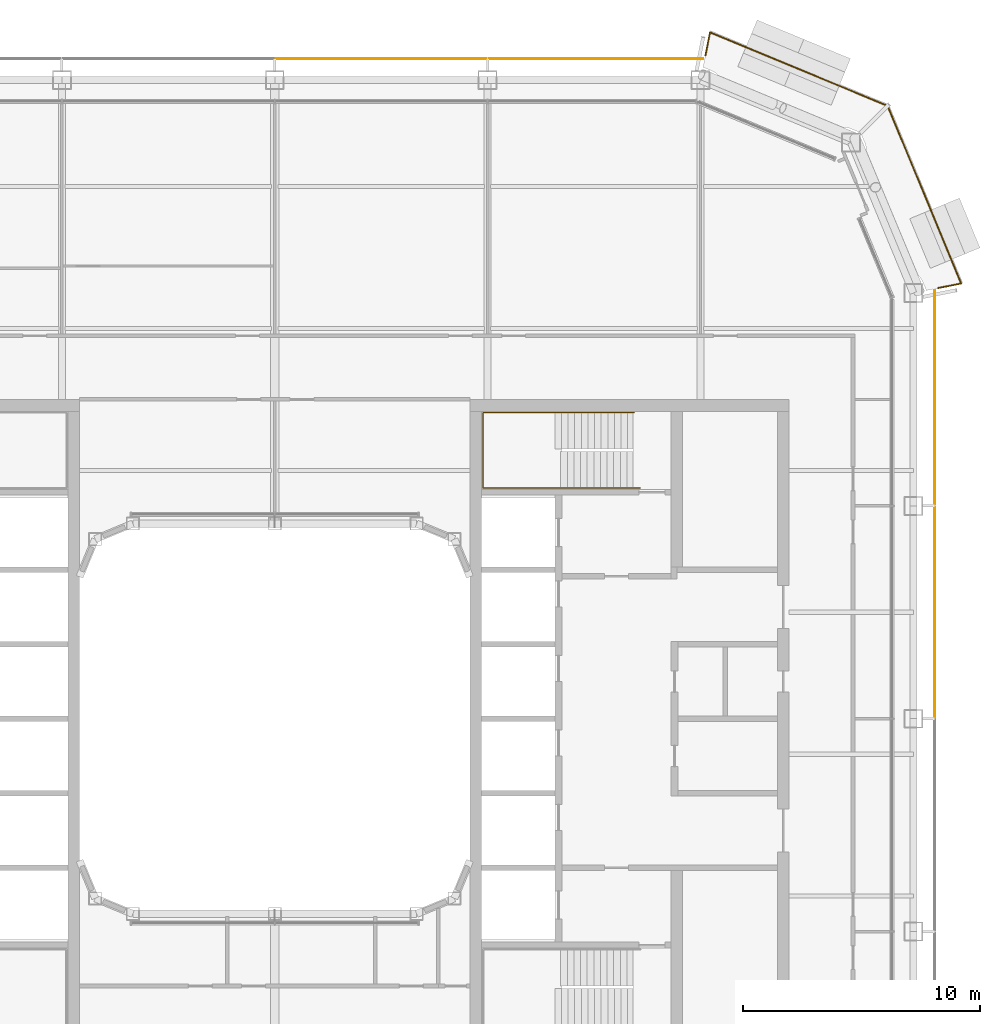
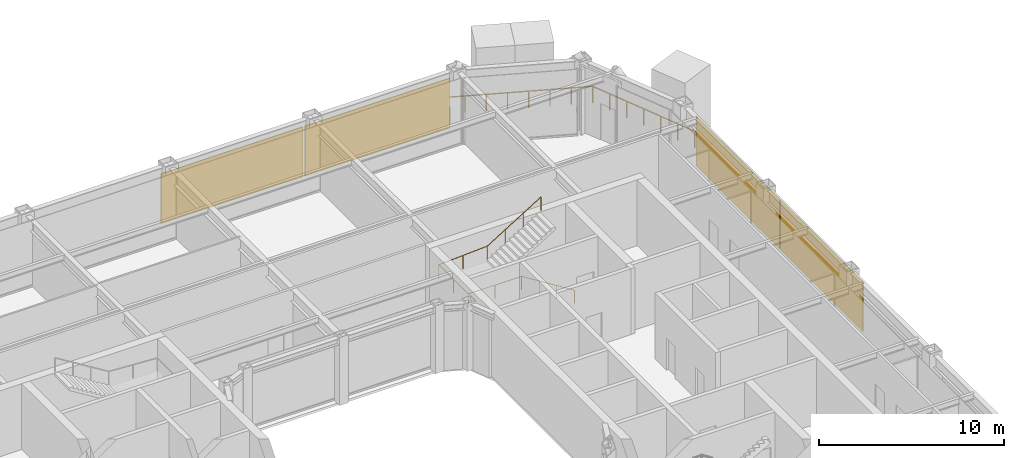
# One storey, part 22 of 23: 4 coverings, 2 railings.
"""IFC4 building model written with IfcOpenShell, lengths in metres."""

import ifcopenshell
import ifcopenshell.guid

model = None  # the IFC model being written
_history = None  # IfcOwnerHistory: only IFC2X3 demands one
_inside = {}  # id of a spatial element -> (the spatial element, [elements in it])
_under = {}  # id of a project, library or spatial element -> (it, [spatial elements below it])
_declared = {}  # id of a project -> (the project, [libraries it declares])
_typed = {}  # id of a type object -> (the type object, [elements of that type])
_made_of = {}  # id of a material, layer set ... -> (it, [elements and type objects made of it])


def new_model(schema):
    """Start an empty IFC model of exactly this schema.

    Asked for "IFC4X3", IfcOpenShell would pick the latest addendum, in which some entities
    have other attributes; the version numbers below select the first issue.
    IFC2X3 requires an IfcOwnerHistory on every rooted entity: one is made here for all.
    """
    global model, _history
    if schema == "IFC4X3":
        model = ifcopenshell.file(schema_version=(4, 3, 0, 0))
    else:
        model = ifcopenshell.file(schema=schema)
    _inside.clear()
    _under.clear()
    _declared.clear()
    _typed.clear()
    _made_of.clear()
    _history = None
    if model.schema == "IFC2X3":
        org = make("IfcOrganization", Name="unknown")
        user = make(
            "IfcPersonAndOrganization",
            ThePerson=make("IfcPerson", FamilyName="unknown"),
            TheOrganization=org,
        )
        app = make(
            "IfcApplication",
            ApplicationDeveloper=org,
            Version="unknown",
            ApplicationFullName="unknown",
            ApplicationIdentifier="unknown",
        )
        _history = make(
            "IfcOwnerHistory",
            OwningUser=user,
            OwningApplication=app,
            ChangeAction="ADDED",
            CreationDate=0,
        )
    return model


def make(cls, **values):
    """One entity of the class cls with the attributes given. An attribute that is None is left unset."""
    return model.create_entity(
        cls, **{name: value for name, value in values.items() if value is not None}
    )


def rooted(cls, **values):
    """An entity with a GlobalId (a new one), such as an element, a storey or a relation."""
    return make(cls, GlobalId=ifcopenshell.guid.new(), OwnerHistory=_history, **values)


def si_unit(unit_type, name, prefix=None):
    """IfcSIUnit, for example si_unit("LENGTHUNIT", "METRE", prefix="MILLI")."""
    return make("IfcSIUnit", UnitType=unit_type, Prefix=prefix, Name=name)


def assignment(units):
    """IfcUnitAssignment: the units of a project."""
    return None if units is None else make("IfcUnitAssignment", Units=units)


def point(xyz):
    """IfcCartesianPoint."""
    return None if xyz is None else make("IfcCartesianPoint", Coordinates=xyz)


def direction(xyz):
    """IfcDirection."""
    return None if xyz is None else make("IfcDirection", DirectionRatios=xyz)


def frame(location, z_axis=None, x_axis=None):
    """IfcAxis2Placement3D, a coordinate frame: its origin and axes. An axis left out is left unset."""
    return make(
        "IfcAxis2Placement3D",
        Location=point(location),
        Axis=direction(z_axis),
        RefDirection=direction(x_axis),
    )


def frame_2d(location, x_axis=None):
    """IfcAxis2Placement2D, a coordinate frame in the plane: its origin and x axis."""
    return make(
        "IfcAxis2Placement2D", Location=point(location), RefDirection=direction(x_axis)
    )


def origin():
    """The frame at (0, 0, 0) with its axes left unset."""
    return frame((0.0, 0.0, 0.0))


def origin_2d():
    """The frame at (0, 0) in the plane with its x axis left unset."""
    return frame_2d((0.0, 0.0))


def place(relative_to, where):
    """IfcLocalPlacement: puts the frame where relative to a parent placement (None: the world)."""
    return make(
        "IfcLocalPlacement", PlacementRelTo=relative_to, RelativePlacement=where
    )


def context(
    kind, dimensions, precision=None, world=None, true_north=None, identifier=None
):
    """IfcGeometricRepresentationContext, for example the 3D "Model" context."""
    return make(
        "IfcGeometricRepresentationContext",
        ContextIdentifier=identifier,
        ContextType=kind,
        CoordinateSpaceDimension=dimensions,
        Precision=precision,
        WorldCoordinateSystem=world,
        TrueNorth=true_north,
    )


def subcontext(parent, identifier, kind, view, scale=None):
    """IfcGeometricRepresentationSubContext, for example "Body" below "Model"."""
    return make(
        "IfcGeometricRepresentationSubContext",
        ContextIdentifier=identifier,
        ContextType=kind,
        ParentContext=parent,
        TargetScale=scale,
        TargetView=view,
    )


def project(units=None, contexts=None):
    """IfcProject with its units and contexts."""
    return rooted(
        "IfcProject",
        Name="project",
        RepresentationContexts=contexts,
        UnitsInContext=assignment(units),
    )


def spatial(cls, under=None, at=None, **own):
    """A site, building, storey or space (cls), placed at a placement, below another one or the project."""
    s = rooted(cls, ObjectPlacement=at, **own)
    if under is not None:
        _under.setdefault(under.id(), (under, []))[1].append(s)
    return s


def profile(cls, at=None, kind="AREA", **sizes):
    """A parametric profile (cls). Its sizes go by their IFC names, for example OverallWidth=200.0."""
    return make(cls, ProfileType=kind, Position=at, **sizes)


def rectangle(**sizes):
    """IfcRectangleProfileDef."""
    return profile("IfcRectangleProfileDef", **sizes)


def circle(**sizes):
    """IfcCircleProfileDef."""
    return profile("IfcCircleProfileDef", **sizes)


def extrude(swept, where, along, depth):
    """IfcExtrudedAreaSolid: the profile swept, set in the frame where, extruded along a direction by depth."""
    return make(
        "IfcExtrudedAreaSolid",
        SweptArea=swept,
        Position=where,
        ExtrudedDirection=direction(along),
        Depth=depth,
    )


def shape(context_of_items, identifier, shape_type, items):
    """IfcShapeRepresentation: the items that make up one representation, for example the "Body"."""
    return make(
        "IfcShapeRepresentation",
        ContextOfItems=context_of_items,
        RepresentationIdentifier=identifier,
        RepresentationType=shape_type,
        Items=items,
    )


def material(Name=None, Category=None):
    """IfcMaterial."""
    return make("IfcMaterial", Name=Name, Category=Category)


def layer(
    of_material, thickness, ventilated=None, Name=None, Category=None, Priority=None
):
    """IfcMaterialLayer: one layer of a wall or slab, of a material (None: an air gap)."""
    return make(
        "IfcMaterialLayer",
        Material=of_material,
        LayerThickness=thickness,
        IsVentilated=ventilated,
        Name=Name,
        Category=Category,
        Priority=Priority,
    )


def layer_set(layers, Name=None):
    """IfcMaterialLayerSet."""
    return make("IfcMaterialLayerSet", MaterialLayers=layers, LayerSetName=Name)


def made_of(thing, what):
    """Note that an element or type object is made of a material, layer set ...; save() writes the relation."""
    if what is not None:
        _made_of.setdefault(what.id(), (what, []))[1].append(thing)
    return thing


def type_object(cls, material=None, **own):
    """A type object (cls), such as IfcWallType, which elements share."""
    return made_of(rooted(cls, **own), material)


def element(
    cls,
    number,
    at=None,
    inside=None,
    cuts=None,
    type_object=None,
    material=None,
    context=None,
    identifier="Body",
    shape_type=None,
    held_by="IfcProductDefinitionShape",
    body=None,
    shapes=None,
    **own,
):
    """One element of the class cls, such as IfcWall. Its Tag is "e" and its number.

    at: its placement. inside: the storey or other place that contains it. cuts: it is an
    opening in that element (IfcRelVoidsElement). A single representation is given by context,
    identifier, shape_type and body (its items); several are given by shapes. held_by: the class
    of the entity that holds the representations. save() writes the other relations.
    """
    e = rooted(cls, Tag="e%d" % number, ObjectPlacement=at, **own)
    if body is not None:
        shapes = [shape(context, identifier, shape_type, body)]
    if shapes is not None:
        e.Representation = make(held_by, Representations=shapes)
    if inside is not None:
        _inside.setdefault(inside.id(), (inside, []))[1].append(e)
    if cuts is not None:
        rooted(
            "IfcRelVoidsElement", RelatingBuildingElement=cuts, RelatedOpeningElement=e
        )
    if type_object is not None:
        _typed.setdefault(type_object.id(), (type_object, []))[1].append(e)
    return made_of(e, material)


def aggregate(whole, parts):
    """IfcRelAggregates: a whole, such as a stair, and the parts it consists of."""
    return rooted("IfcRelAggregates", RelatingObject=whole, RelatedObjects=parts)


def save(model, path):
    """Write the relations noted so far, then the file.

    IfcRelAggregates (storeys below a building ...), IfcRelContainedInSpatialStructure (elements
    in a storey), IfcRelDefinesByType, IfcRelAssociatesMaterial and IfcRelDeclares: one each for
    every whole, place, type object, material and project.
    """
    for whole, parts in _under.values():
        aggregate(whole, parts)
    for where, things in _inside.values():
        rooted(
            "IfcRelContainedInSpatialStructure",
            RelatedElements=things,
            RelatingStructure=where,
        )
    for kind, things in _typed.values():
        rooted("IfcRelDefinesByType", RelatedObjects=things, RelatingType=kind)
    for what, things in _made_of.values():
        rooted("IfcRelAssociatesMaterial", RelatedObjects=things, RelatingMaterial=what)
    for by, libraries in _declared.values():
        rooted("IfcRelDeclares", RelatingContext=by, RelatedDefinitions=libraries)
    model.write(path)


model = new_model("IFC4")

# Units and contexts
model_context = context("Model", 3, precision=1e-05, world=origin(), true_north=direction((0.0, 1.0)))
body_context = subcontext(model_context, "Body", "Model", "MODEL_VIEW")
ifc_project = project(units=[si_unit("LENGTHUNIT", "METRE"), si_unit("AREAUNIT", "SQUARE_METRE"), si_unit("VOLUMEUNIT", "CUBIC_METRE"), si_unit("PLANEANGLEUNIT", "RADIAN"), si_unit("MASSUNIT", "GRAM", prefix="KILO")], contexts=[model_context])

# Site, building, storey
site_placement = place(None, origin())
site = spatial("IfcSite", under=ifc_project, at=site_placement, CompositionType="ELEMENT")
building_placement = place(site_placement, origin())
building = spatial("IfcBuilding", under=site, at=building_placement, Name="Siwar Civic Tower", CompositionType="ELEMENT")
storey_placement = place(building_placement, frame((0.0, 0.0, 260.199951171875)))
storey = spatial("IfcBuildingStorey", under=building, at=storey_placement, Name="L56", CompositionType="ELEMENT", Elevation=260.199951171875)

# Railings
ifc_material_1 = material(Name="Stainless steel", Category="steel")
railing_type_1 = type_object("IfcRailingType", Name="CORE-STAIR-HANDRAIL", PredefinedType="HANDRAIL", material=ifc_material_1)
railing_1_placement = place(storey_placement, frame((15.449951171875, 9.758056640625, 0.173095703125)))
element("IfcRailing", 1, at=railing_1_placement, inside=storey, type_object=railing_type_1, Name="Stair handrail ST3", PredefinedType="HANDRAIL", context=body_context, shape_type="SweptSolid", body=[
    extrude(circle(Radius=0.02001953125, at=origin_2d()), frame((0.0, 0.0, 0.8798828125), z_axis=(-0.847063342986, 0.0, 0.531491950051), x_axis=(0.0, -1.0, 0.0)), (0.0, 0.0, 1.0), 3.90771484375),
    extrude(circle(Radius=0.02001953125, at=origin_2d()), frame((-3.31005859375, 0.0, 2.956787109375), z_axis=(-1.0, 0.0, 0.0), x_axis=(0.0, -1.0, 0.0)), (0.0, 0.0, 1.0), 3.331787109375),
    extrude(circle(Radius=0.02001953125, at=origin_2d()), frame((-6.641845703125, 0.0, 2.956787109375), z_axis=(0.0, 1.0, 0.0), x_axis=(-1.0, 0.0, 0.0)), (0.0, 0.0, 1.0), 3.183837890625),
    extrude(circle(Radius=0.02001953125, at=origin_2d()), frame((-6.641845703125, 3.183837890625, 2.956787109375), z_axis=(0.99837434197, 0.0, 0.056997134106), x_axis=(0.0, 1.0, 0.0)), (0.0, 0.0, 1.0), 3.036865234375),
    extrude(circle(Radius=0.02001953125, at=origin_2d()), frame((-3.60986328125, 3.183837890625, 3.1298828125), z_axis=(0.850606129759, 0.0, 0.525803396734), x_axis=(0.0, 1.0, 0.0)), (0.0, 0.0, 1.0), 3.949951171875),
    extrude(circle(Radius=0.02001953125, at=origin_2d()), origin(), (0.0, 0.0, 1.0), 0.85986328125),
    extrude(circle(Radius=0.02001953125, at=origin_2d()), frame((-1.103271484375, 0.0, 0.6923828125)), (0.0, 0.0, 1.0), 0.85986328125),
    extrude(circle(Radius=0.02001953125, at=origin_2d()), frame((-2.206787109375, 0.0, 1.384521484375)), (0.0, 0.0, 1.0), 0.85986328125),
    extrude(circle(Radius=0.02001953125, at=origin_2d()), frame((-3.31005859375, 0.0, 2.076904296875)), (0.0, 0.0, 1.0), 0.85986328125),
    extrude(circle(Radius=0.02001953125, at=origin_2d()), frame((-4.97607421875, 0.0, 2.076904296875)), (0.0, 0.0, 1.0), 0.85986328125),
    extrude(circle(Radius=0.02001953125, at=origin_2d()), frame((-6.641845703125, 0.0, 2.076904296875)), (0.0, 0.0, 1.0), 0.85986328125),
    extrude(circle(Radius=0.02001953125, at=origin_2d()), frame((-6.641845703125, 1.591796875, 2.076904296875)), (0.0, 0.0, 1.0), 0.85986328125),
    extrude(circle(Radius=0.02001953125, at=origin_2d()), frame((-6.641845703125, 3.183837890625, 2.076904296875)), (0.0, 0.0, 1.0), 0.85986328125),
    extrude(circle(Radius=0.02001953125, at=origin_2d()), frame((-5.1259765625, 3.183837890625, 2.16357421875)), (0.0, 0.0, 1.0), 0.85986328125),
    extrude(circle(Radius=0.02001953125, at=origin_2d()), frame((-3.60986328125, 3.183837890625, 2.25)), (0.0, 0.0, 1.0), 0.85986328125),
    extrude(circle(Radius=0.02001953125, at=origin_2d()), frame((-2.489990234375, 3.183837890625, 2.9423828125)), (0.0, 0.0, 1.0), 0.85986328125),
    extrude(circle(Radius=0.02001953125, at=origin_2d()), frame((-1.369873046875, 3.183837890625, 3.634521484375)), (0.0, 0.0, 1.0), 0.85986328125),
    extrude(circle(Radius=0.02001953125, at=origin_2d()), frame((-0.25, 3.183837890625, 4.326904296875)), (0.0, 0.0, 1.0), 0.85986328125),
])
ifc_material_2 = material(Name="Stainless steel 316", Category="steel")
railing_type_2 = type_object("IfcRailingType", Name="ENV-GUARD", PredefinedType="GUARDRAIL", material=ifc_material_2)
railing_2_placement = place(storey_placement, frame((28.047119140625, 18.208251953125, 0.0)))
element("IfcRailing", 2, at=railing_2_placement, inside=storey, type_object=railing_type_2, Name="Balcony guard NE", PredefinedType="GUARDRAIL", context=body_context, shape_type="SweptSolid", body=[
    extrude(circle(Radius=0.02392578125, at=origin_2d()), frame((0.0, 0.0, 1.076171875), z_axis=(0.980778661911, 0.195123592472, 0.0), x_axis=(-0.195123592472, 0.980778661911, 0.0)), (0.0, 0.0, 1.0), 0.993408203125),
    extrude(circle(Radius=0.02392578125, at=origin_2d()), frame((0.974365234375, 0.19384765625, 1.076171875), z_axis=(-0.382176720888, 0.924089256518, 0.0), x_axis=(-0.924089256518, -0.382176720888, 0.0)), (0.0, 0.0, 1.0), 8.129638671875),
    extrude(circle(Radius=0.02392578125, at=origin_2d()), frame((-2.132568359375, 7.706298828125, 1.076171875), z_axis=(-0.924089256518, 0.382176720888, 0.0), x_axis=(-0.382176720888, -0.924089256518, 0.0)), (0.0, 0.0, 1.0), 8.129638671875),
    extrude(circle(Radius=0.02392578125, at=origin_2d()), frame((-9.64501953125, 10.813232421875, 1.076171875), z_axis=(-0.195123592472, -0.980778661911, 0.0), x_axis=(0.980778661911, -0.195123592472, 0.0)), (0.0, 0.0, 1.0), 0.993408203125),
    extrude(circle(Radius=0.02099609375, at=origin_2d()), origin(), (0.0, 0.0, 1.0), 1.052001953125),
    extrude(circle(Radius=0.02099609375, at=origin_2d()), frame((0.974365234375, 0.19384765625, 0.0)), (0.0, 0.0, 1.0), 1.052001953125),
    extrude(circle(Radius=0.02099609375, at=origin_2d()), frame((0.530517578125, 1.26708984375, 0.0)), (0.0, 0.0, 1.0), 1.052001953125),
    extrude(circle(Radius=0.02099609375, at=origin_2d()), frame((0.086669921875, 2.34033203125, 0.0)), (0.0, 0.0, 1.0), 1.052001953125),
    extrude(circle(Radius=0.02099609375, at=origin_2d()), frame((-0.357177734375, 3.41357421875, 0.0)), (0.0, 0.0, 1.0), 1.052001953125),
    extrude(circle(Radius=0.02099609375, at=origin_2d()), frame((-0.801025390625, 4.486572265625, 0.0)), (0.0, 0.0, 1.0), 1.052001953125),
    extrude(circle(Radius=0.02099609375, at=origin_2d()), frame((-1.244873046875, 5.559814453125, 0.0)), (0.0, 0.0, 1.0), 1.052001953125),
    extrude(circle(Radius=0.02099609375, at=origin_2d()), frame((-1.688720703125, 6.633056640625, 0.0)), (0.0, 0.0, 1.0), 1.052001953125),
    extrude(circle(Radius=0.02099609375, at=origin_2d()), frame((-2.132568359375, 7.706298828125, 0.0)), (0.0, 0.0, 1.0), 1.052001953125),
    extrude(circle(Radius=0.02099609375, at=origin_2d()), frame((-3.205810546875, 8.150146484375, 0.0)), (0.0, 0.0, 1.0), 1.052001953125),
    extrude(circle(Radius=0.02099609375, at=origin_2d()), frame((-4.279052734375, 8.593994140625, 0.0)), (0.0, 0.0, 1.0), 1.052001953125),
    extrude(circle(Radius=0.02099609375, at=origin_2d()), frame((-5.352294921875, 9.037841796875, 0.0)), (0.0, 0.0, 1.0), 1.052001953125),
    extrude(circle(Radius=0.02099609375, at=origin_2d()), frame((-6.42529296875, 9.481689453125, 0.0)), (0.0, 0.0, 1.0), 1.052001953125),
    extrude(circle(Radius=0.02099609375, at=origin_2d()), frame((-7.49853515625, 9.925537109375, 0.0)), (0.0, 0.0, 1.0), 1.052001953125),
    extrude(circle(Radius=0.02099609375, at=origin_2d()), frame((-8.57177734375, 10.369384765625, 0.0)), (0.0, 0.0, 1.0), 1.052001953125),
    extrude(circle(Radius=0.02099609375, at=origin_2d()), frame((-9.64501953125, 10.813232421875, 0.0)), (0.0, 0.0, 1.0), 1.052001953125),
    extrude(circle(Radius=0.02099609375, at=origin_2d()), frame((-9.8388671875, 9.8388671875, 0.0)), (0.0, 0.0, 1.0), 1.052001953125),
])

# Coverings
ifc_material_3 = material(Name="Perforated aluminium cassette, pale metal", Category="aluminium")
ifc_layer = layer(ifc_material_3, 0.0400390625)
ifc_layer_set = layer_set([ifc_layer], Name="Perforated aluminium cassette, pale metal")
covering_type = type_object("IfcCoveringType", Name="ENV-OUTER SKIN OS-1", PredefinedType="CLADDING", material=ifc_layer_set)
covering_1_placement = place(storey_placement, frame((27.89990234375, 4.5, -0.14990234375), z_axis=(0.0, 0.0, 1.0), x_axis=(0.0, 1.0, 0.0)))
element("IfcCovering", 3, at=covering_1_placement, inside=storey, type_object=covering_type, Name="OUTER SKIN OS-1 E 3", PredefinedType="CLADDING", context=body_context, shape_type="SweptSolid", body=[
    extrude(rectangle(XDim=8.89990234375, YDim=0.0400390625, at=origin_2d()), origin(), (0.0, 0.0, 1.0), 3.300048828125),
])
for number, where, z_axis, x_axis, name in (
    (4, (27.89990234375, 13.57958984375, -0.14990234375), (0.0, 0.0, 1.0), (0.0, 1.0, 0.0), "OUTER SKIN OS-1 E 4"),
    (5, (13.57958984375, 27.89990234375, -0.14990234375), (0.0, 0.0, 1.0), (-1.0, 0.0, 0.0), "OUTER SKIN OS-1 N 1"),
):
    element("IfcCovering", number, at=place(storey_placement, frame(where, z_axis=z_axis, x_axis=x_axis)), inside=storey, type_object=covering_type, Name=name, PredefinedType="CLADDING", context=body_context, shape_type="SweptSolid", body=[
        extrude(rectangle(XDim=9.05908203125, YDim=0.0400390625, at=origin_2d()), origin(), (0.0, 0.0, 1.0), 3.300048828125),
    ])
covering_2_placement = place(storey_placement, frame((4.5, 27.89990234375, -0.14990234375), z_axis=(0.0, 0.0, 1.0), x_axis=(-1.0, 0.0, 0.0)))
element("IfcCovering", 6, at=covering_2_placement, inside=storey, type_object=covering_type, Name="OUTER SKIN OS-1 N 2", PredefinedType="CLADDING", context=body_context, shape_type="SweptSolid", body=[
    extrude(rectangle(XDim=8.89990234375, YDim=0.0400390625, at=origin_2d()), origin(), (0.0, 0.0, 1.0), 3.300048828125),
])

save(model, "model.ifc")
